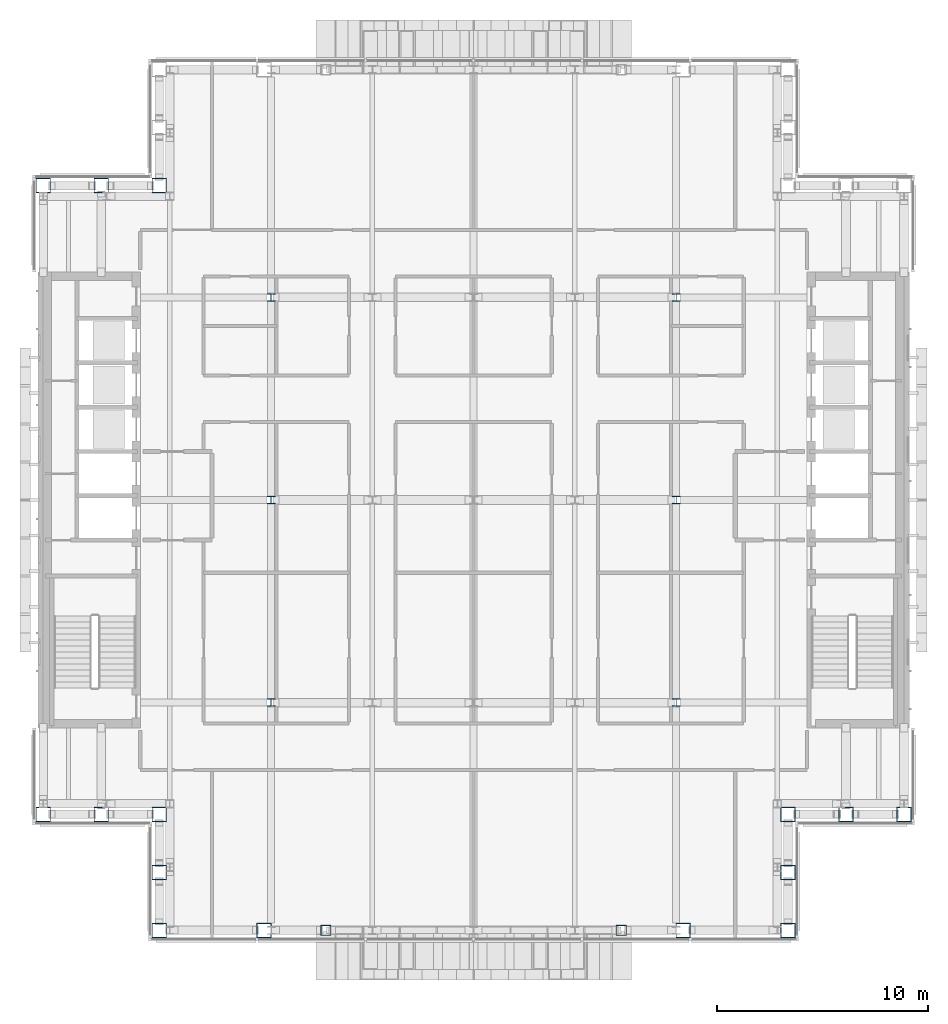
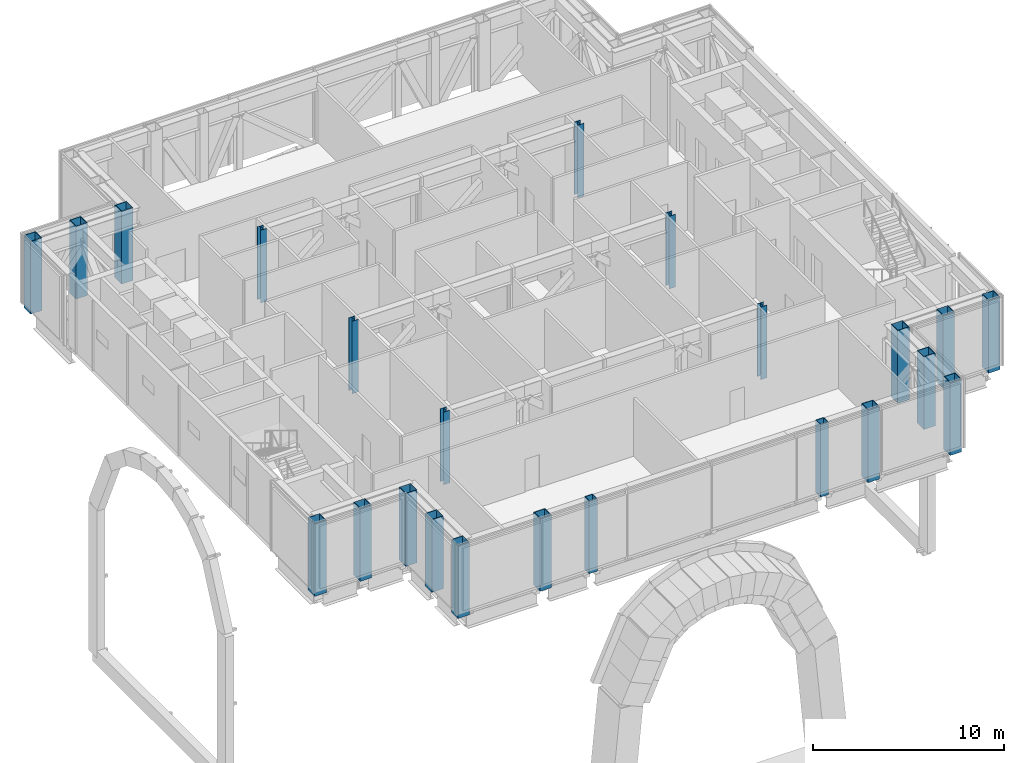
# One storey, part 1 of 26: 23 columns.
"""IFC4 building model written with IfcOpenShell, lengths in metres."""

from ifc_helpers import new_model, si_unit, direction, frame, origin, origin_2d, place, context, subcontext, project, spatial, hollow_rectangle, i_section, extrude, material, material_profile, profile_set, type_object, element, save


model = new_model("IFC4")

# Units and contexts
model_context = context("Model", 3, precision=1e-05, world=origin(), true_north=direction((0.0, 1.0)))
body_context = subcontext(model_context, "Body", "Model", "MODEL_VIEW")
ifc_project = project(units=[si_unit("LENGTHUNIT", "METRE"), si_unit("AREAUNIT", "SQUARE_METRE"), si_unit("VOLUMEUNIT", "CUBIC_METRE"), si_unit("PLANEANGLEUNIT", "RADIAN"), si_unit("MASSUNIT", "GRAM", prefix="KILO")], contexts=[model_context])

# Site, building, storey
site_placement = place(None, origin())
site = spatial("IfcSite", under=ifc_project, at=site_placement, CompositionType="ELEMENT")
building_placement = place(site_placement, origin())
building = spatial("IfcBuilding", under=site, at=building_placement, Name="Cobrizo Arcos Hotel Tower", CompositionType="ELEMENT")
storey_placement = place(building_placement, frame((0.0, 0.0, 236.5)))
storey = spatial("IfcBuildingStorey", under=building, at=storey_placement, Name="L62", CompositionType="ELEMENT", Elevation=236.5)

# Columns
ifc_material_1 = material(Name="Steel ASTM A572 Grade 50", Category="steel")
ifc_material_profile_1 = material_profile(ifc_material_1, hollow_rectangle(XDim=0.5, YDim=0.5, WallThickness=0.030029296875, at=origin_2d()), Name="BOX 500X500X30")
ifc_profile_set_1 = profile_set([ifc_material_profile_1], Name="Steel ASTM A572 Grade 50")
column_type_1 = type_object("IfcColumnType", Name="BOX 500X500X30 column", PredefinedType="COLUMN", material=ifc_profile_set_1)
for number, where, z_axis, x_axis, name in (
    (1, (-7.0, -20.39990234375, -0.300048828125), (0.0, 0.0, 1.0), (1.0, 0.0, 0.0), "Perimeter column C11, L62, no. 25"),
    (2, (7.0, -20.39990234375, -0.300048828125), (0.0, 0.0, 1.0), (1.0, 0.0, 0.0), "Perimeter column C11, L62, no. 27"),
):
    element("IfcColumn", number, at=place(storey_placement, frame(where, z_axis=z_axis, x_axis=x_axis)), inside=storey, type_object=column_type_1, Name=name, PredefinedType="COLUMN", context=body_context, shape_type="SweptSolid", body=[
        extrude(hollow_rectangle(XDim=0.5, YDim=0.5, WallThickness=0.030029296875, at=origin_2d()), origin(), (0.0, 0.0, 1.0), 4.650146484375),
    ])
ifc_material_profile_2 = material_profile(ifc_material_1, hollow_rectangle(XDim=0.699951171875, YDim=0.699951171875, WallThickness=0.0400390625, at=origin_2d()), Name="BOX 700X700X40")
ifc_profile_set_2 = profile_set([ifc_material_profile_2], Name="Steel ASTM A572 Grade 50")
column_type_2 = type_object("IfcColumnType", Name="BOX 700X700X40 column", PredefinedType="COLUMN", material=ifc_profile_set_2)
for number, where, z_axis, x_axis, name in (
    (3, (-14.89990234375, -20.39990234375, -0.300048828125), (0.0, 0.0, 1.0), (1.0, 0.0, 0.0), "Perimeter column C10, L62, no. 01"),
    (4, (-9.93310546875, -20.39990234375, -0.300048828125), (0.0, 0.0, 1.0), (1.0, 0.0, 0.0), "Perimeter column C10, L62, no. 03"),
    (5, (9.93310546875, -20.39990234375, -0.300048828125), (0.0, 0.0, 1.0), (1.0, 0.0, 0.0), "Perimeter column C10, L62, no. 05"),
    (6, (14.89990234375, -20.39990234375, -0.300048828125), (0.0, 0.0, 1.0), (1.0, 0.0, 0.0), "Perimeter column C10, L62, no. 07"),
    (7, (20.39990234375, -14.89990234375, -0.300048828125), (0.0, 0.0, 1.0), (1.0, 0.0, 0.0), "Perimeter column C10, L62, no. 08"),
    (8, (-20.39990234375, -14.89990234375, -0.300048828125), (0.0, 0.0, 1.0), (1.0, 0.0, 0.0), "Perimeter column C10, L62, no. 09"),
    (9, (-20.39990234375, 14.89990234375, -0.300048828125), (0.0, 0.0, 1.0), (1.0, 0.0, 0.0), "Perimeter column C10, L62, no. 11"),
    (10, (-14.89990234375, -14.89990234375, -0.300048828125), (0.0, 0.0, 1.0), (1.0, 0.0, 0.0), "Perimeter column C10, L62, no. 12"),
    (11, (-14.89990234375, -17.64990234375, -0.300048828125), (0.0, 0.0, 1.0), (1.0, 0.0, 0.0), "Perimeter column C10, L62, no. 13"),
    (12, (-17.64990234375, -14.89990234375, -0.300048828125), (0.0, 0.0, 1.0), (1.0, 0.0, 0.0), "Perimeter column C10, L62, no. 14"),
    (13, (-14.89990234375, 14.89990234375, -0.300048828125), (0.0, 0.0, 1.0), (1.0, 0.0, 0.0), "Perimeter column C10, L62, no. 15"),
    (14, (-17.64990234375, 14.89990234375, -0.300048828125), (0.0, 0.0, 1.0), (1.0, 0.0, 0.0), "Perimeter column C10, L62, no. 17"),
    (15, (14.89990234375, -14.89990234375, -0.300048828125), (0.0, 0.0, 1.0), (1.0, 0.0, 0.0), "Perimeter column C10, L62, no. 18"),
    (16, (14.89990234375, -17.64990234375, -0.300048828125), (0.0, 0.0, 1.0), (1.0, 0.0, 0.0), "Perimeter column C10, L62, no. 19"),
    (17, (17.64990234375, -14.89990234375, -0.300048828125), (0.0, 0.0, 1.0), (1.0, 0.0, 0.0), "Perimeter column C10, L62, no. 20"),
):
    element("IfcColumn", number, at=place(storey_placement, frame(where, z_axis=z_axis, x_axis=x_axis)), inside=storey, type_object=column_type_2, Name=name, PredefinedType="COLUMN", context=body_context, shape_type="SweptSolid", body=[
        extrude(hollow_rectangle(XDim=0.699951171875, YDim=0.699951171875, WallThickness=0.0400390625, at=origin_2d()), origin(), (0.0, 0.0, 1.0), 4.650146484375),
    ])
ifc_material_2 = material(Name="Steel ASTM A992 Grade 50", Category="steel")
ifc_material_profile_3 = material_profile(ifc_material_2, i_section(OverallWidth=0.373291015625, OverallDepth=0.373291015625, WebThickness=0.016357421875, FlangeThickness=0.026123046875, at=origin_2d()), Name="W14X132")
ifc_profile_set_3 = profile_set([ifc_material_profile_3], Name="Steel ASTM A992 Grade 50")
column_type_3 = type_object("IfcColumnType", Name="W14X132 interior column", PredefinedType="COLUMN", material=ifc_profile_set_3)
for number, where, z_axis, x_axis, name in (
    (18, (-9.60009765625, -9.60009765625, -0.300048828125), (0.0, 0.0, 1.0), (1.0, 0.0, 0.0), "Interior column C9, L62, no. 00"),
    (19, (-9.60009765625, 0.0, -0.300048828125), (0.0, 0.0, 1.0), (1.0, 0.0, 0.0), "Interior column C9, L62, no. 01"),
    (20, (-9.60009765625, 9.60009765625, -0.300048828125), (0.0, 0.0, 1.0), (1.0, 0.0, 0.0), "Interior column C9, L62, no. 02"),
    (21, (9.60009765625, -9.60009765625, -0.300048828125), (0.0, 0.0, 1.0), (1.0, 0.0, 0.0), "Interior column C9, L62, no. 03"),
    (22, (9.60009765625, 0.0, -0.300048828125), (0.0, 0.0, 1.0), (1.0, 0.0, 0.0), "Interior column C9, L62, no. 04"),
    (23, (9.60009765625, 9.60009765625, -0.300048828125), (0.0, 0.0, 1.0), (1.0, 0.0, 0.0), "Interior column C9, L62, no. 05"),
):
    element("IfcColumn", number, at=place(storey_placement, frame(where, z_axis=z_axis, x_axis=x_axis)), inside=storey, type_object=column_type_3, Name=name, PredefinedType="COLUMN", context=body_context, shape_type="SweptSolid", body=[
        extrude(i_section(OverallWidth=0.373291015625, OverallDepth=0.373291015625, WebThickness=0.016357421875, FlangeThickness=0.026123046875, at=origin_2d()), origin(), (0.0, 0.0, 1.0), 4.650146484375),
    ])

save(model, "model.ifc")
